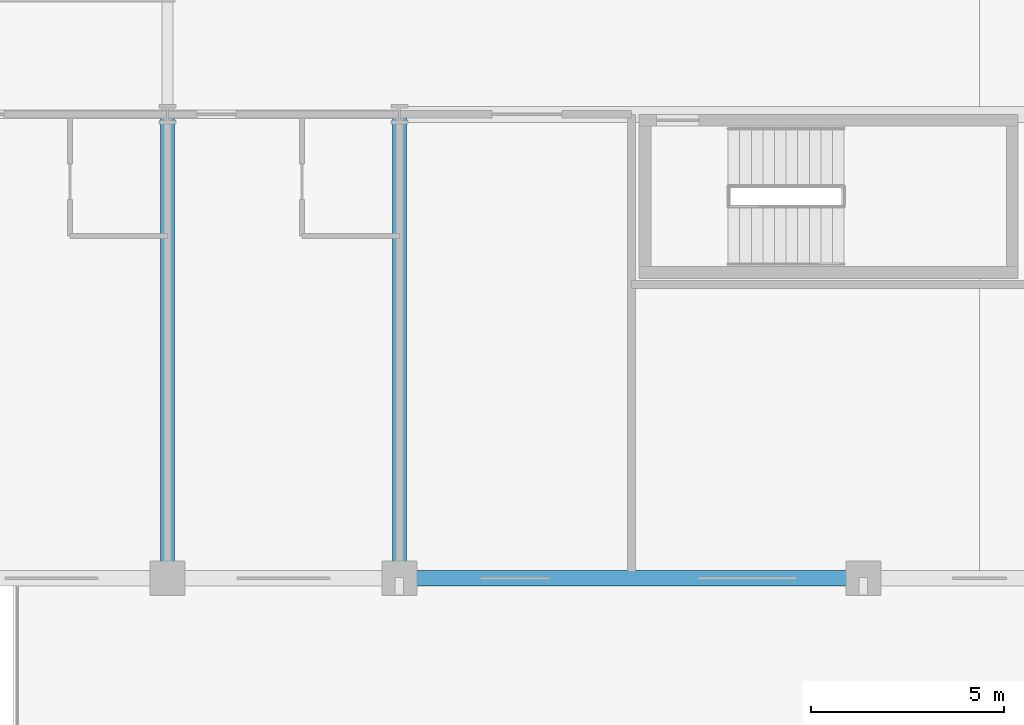
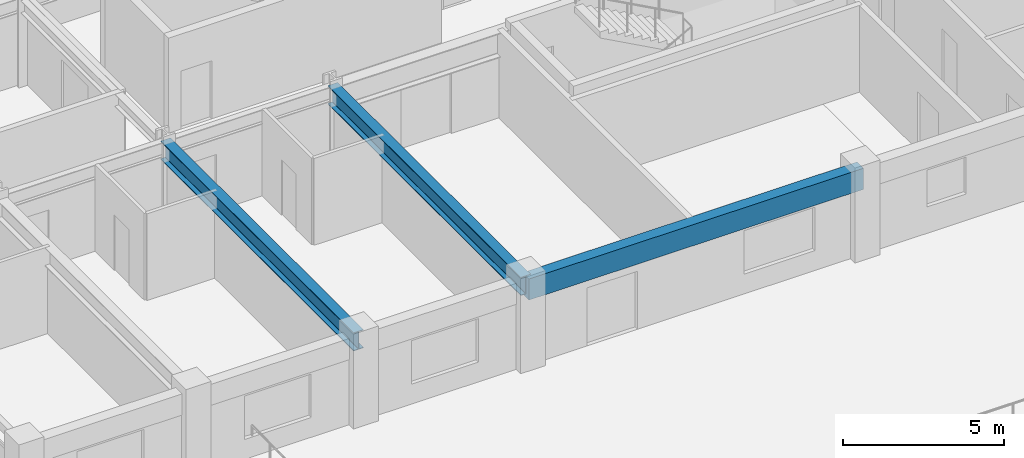
# One storey, part 5 of 24: 3 beams.
"""IFC4 building model written with IfcOpenShell, lengths in metres."""

from ifc_helpers import new_model, si_unit, direction, frame, origin, origin_2d, place, context, subcontext, project, spatial, rectangle, i_section, extrude, material, material_profile, profile_set, type_object, element, save


model = new_model("IFC4")

# Units and contexts
model_context = context("Model", 3, precision=1e-05, world=origin(), true_north=direction((0.0, 1.0)))
body_context = subcontext(model_context, "Body", "Model", "MODEL_VIEW")
ifc_project = project(units=[si_unit("LENGTHUNIT", "METRE"), si_unit("AREAUNIT", "SQUARE_METRE"), si_unit("VOLUMEUNIT", "CUBIC_METRE"), si_unit("PLANEANGLEUNIT", "RADIAN"), si_unit("MASSUNIT", "GRAM", prefix="KILO")], contexts=[model_context])

# Site, building, storey
site_placement = place(None, origin())
site = spatial("IfcSite", under=ifc_project, at=site_placement, CompositionType="ELEMENT")
building_placement = place(site_placement, origin())
building = spatial("IfcBuilding", under=site, at=building_placement, Name="Kaldorvane Square Convention Centre", CompositionType="ELEMENT")
storey_placement = place(building_placement, frame((0.0, 0.0, 27.600006103515625)))
storey = spatial("IfcBuildingStorey", under=building, at=storey_placement, Name="L05", CompositionType="ELEMENT", Elevation=27.600006103515625)

# Beams
ifc_material_1 = material(Name="Steel ASTM A992 Gr. 50", Category="steel")
ifc_material_profile_1 = material_profile(ifc_material_1, i_section(OverallWidth=0.354705810546875, OverallDepth=0.69549560546875, WebThickness=0.0153961181640625, FlangeThickness=0.0251007080078125, FilletRadius=0.01519775390625, at=origin_2d()), Name="W27X146")
ifc_profile_set_1 = profile_set([ifc_material_profile_1], Name="Steel ASTM A992 Gr. 50")
beam_type_1 = type_object("IfcBeamType", Name="BM-GR-W27X146", PredefinedType="BEAM", material=ifc_profile_set_1)
for number, where, z_axis, x_axis, name in (
    (1, (36.0, 84.0, 2.93829345703125), (0.0, 1.0, 0.0), (-1.0, 0.0, 0.0), "Transverse Girder (L05)"),
    (2, (42.0, 84.0, 2.93829345703125), (0.0, 1.0, 0.0), (-1.0, 0.0, 0.0), "Transverse Girder (L05)"),
):
    element("IfcBeam", number, at=place(storey_placement, frame(where, z_axis=z_axis, x_axis=x_axis)), inside=storey, type_object=beam_type_1, Name=name, PredefinedType="BEAM", context=body_context, shape_type="SweptSolid", body=[
        extrude(i_section(OverallWidth=0.354705810546875, OverallDepth=0.69549560546875, WebThickness=0.0153961181640625, FlangeThickness=0.0251007080078125, FilletRadius=0.01519775390625, at=origin_2d()), origin(), (0.0, 0.0, 1.0), 12.0),
    ])
ifc_material_2 = material(Name="Concrete f'c = 42 MPa (Normalweight)", Category="concrete")
ifc_material_profile_2 = material_profile(ifc_material_2, rectangle(XDim=0.399993896484375, YDim=0.8000030517578125, at=origin_2d()), Name="RCSP800X400")
ifc_profile_set_2 = profile_set([ifc_material_profile_2], Name="Concrete f'c = 42 MPa (Normalweight)")
beam_type_2 = type_object("IfcBeamType", Name="BM-SP-RC800", PredefinedType="SPANDREL", material=ifc_profile_set_2)
beam_placement = place(storey_placement, frame((42.0, 84.0, 2.885986328125), z_axis=(1.0, 0.0, 0.0), x_axis=(0.0, 1.0, 0.0)))
element("IfcBeam", 3, at=beam_placement, inside=storey, type_object=beam_type_2, Name="Perimeter Spandrel (L05)", PredefinedType="SPANDREL", context=body_context, shape_type="SweptSolid", body=[
    extrude(rectangle(XDim=0.399993896484375, YDim=0.8000030517578125, at=origin_2d()), origin(), (0.0, 0.0, 1.0), 12.0),
])

save(model, "model.ifc")
